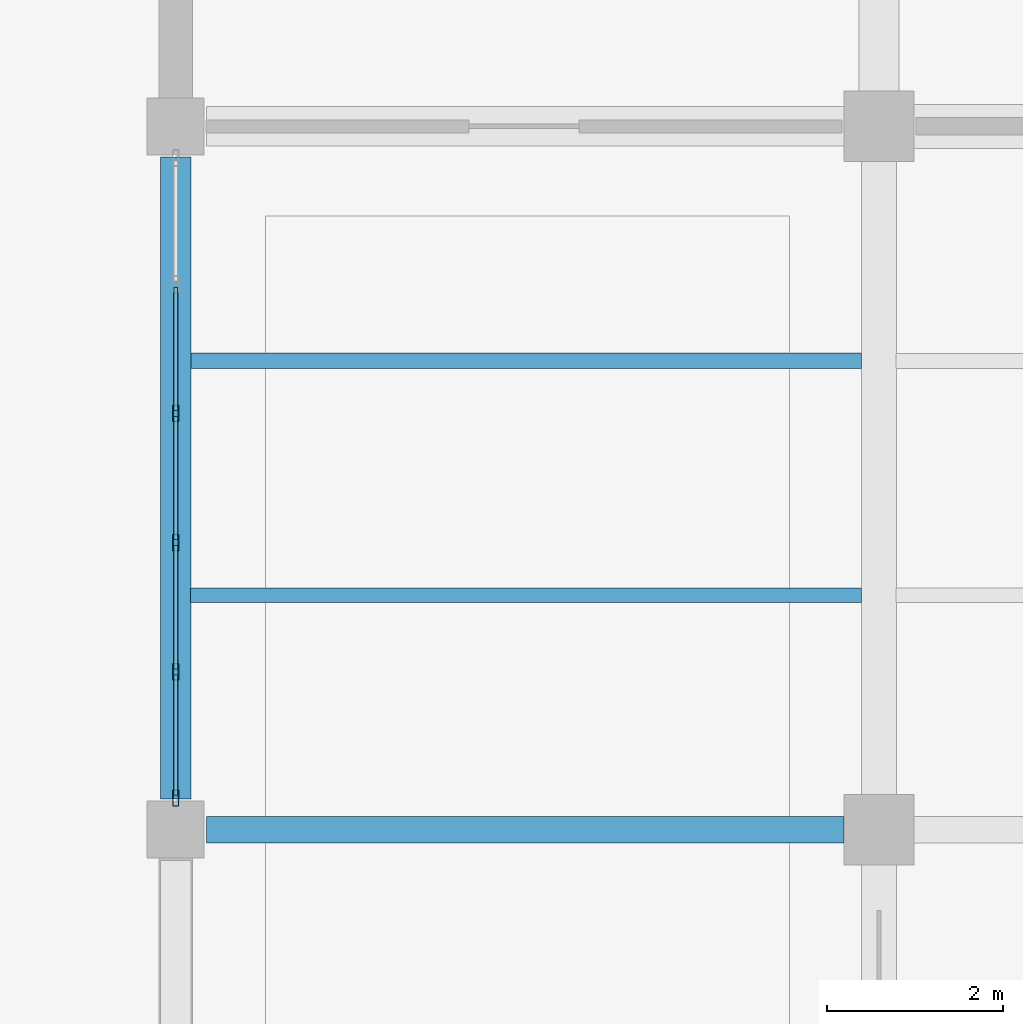
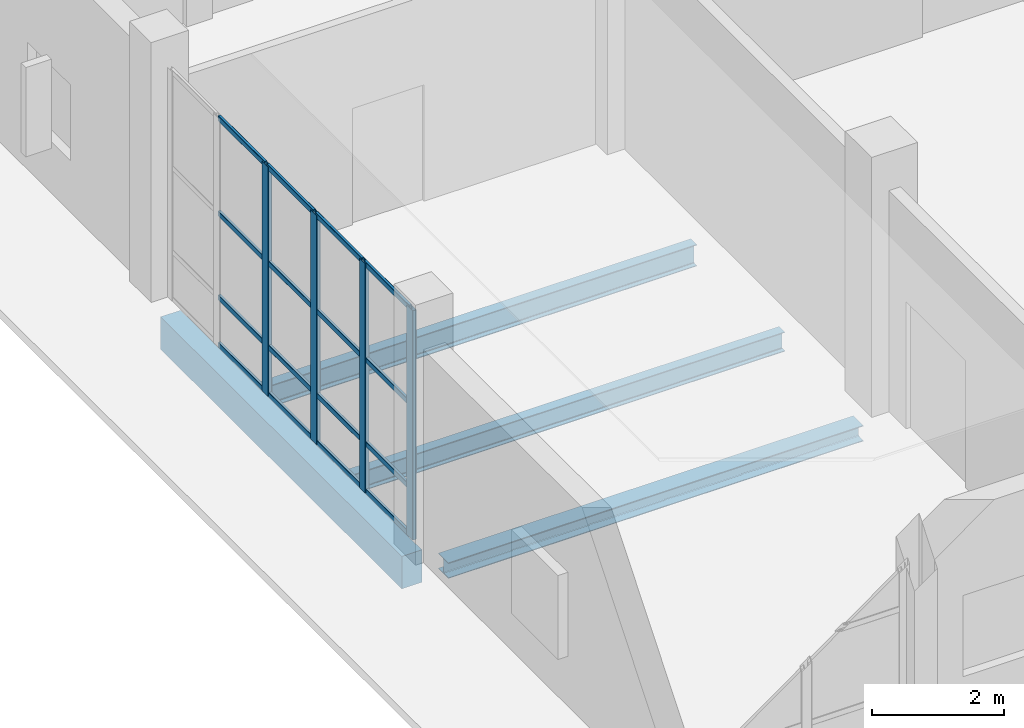
# One storey, part 82 of 156: 20 members, 4 beams, 1 element without a shape of its own.
"""IFC4 building model written with IfcOpenShell, lengths in metres."""

from ifc_helpers import new_model, si_unit, direction, frame, origin, origin_2d, place, context, subcontext, project, spatial, rectangle, hollow_rectangle, i_section, extrude, material, material_profile, profile_set, type_object, element, aggregate, save


model = new_model("IFC4")

# Units and contexts
model_context = context("Model", 3, precision=1e-05, world=origin(), true_north=direction((0.0, 1.0)))
body_context = subcontext(model_context, "Body", "Model", "MODEL_VIEW")
ifc_project = project(units=[si_unit("LENGTHUNIT", "METRE"), si_unit("AREAUNIT", "SQUARE_METRE"), si_unit("VOLUMEUNIT", "CUBIC_METRE"), si_unit("PLANEANGLEUNIT", "RADIAN"), si_unit("MASSUNIT", "GRAM", prefix="KILO")], contexts=[model_context])

# Site, building, storey
site_placement = place(None, origin())
site = spatial("IfcSite", under=ifc_project, at=site_placement, CompositionType="ELEMENT")
building_placement = place(site_placement, origin())
building = spatial("IfcBuilding", under=site, at=building_placement, Name="Luwemba Playhouse", CompositionType="ELEMENT")
storey_placement = place(building_placement, origin())
storey = spatial("IfcBuildingStorey", under=building, at=storey_placement, Name="L00", CompositionType="ELEMENT", Elevation=0.0)

# Beams
ifc_material_1 = material(Name="Steel S355", Category="steel")
ifc_material_profile_1 = material_profile(ifc_material_1, i_section(OverallWidth=0.300048828125, OverallDepth=0.2900390625, WebThickness=0.008544921875, FlangeThickness=0.013916015625, FilletRadius=0.027099609375, at=origin_2d()))
ifc_profile_set_1 = profile_set([ifc_material_profile_1], Name="Steel S355")
beam_type_1 = type_object("IfcBeamType", Name="BM-SB03", PredefinedType="BEAM", material=ifc_profile_set_1)
beam_1_placement = place(storey_placement, frame((132.35009765625, 76.0, -0.445068359375), z_axis=(1.0, 0.0, 0.0), x_axis=(0.0, 1.0, 0.0)))
element("IfcBeam", 1, at=beam_1_placement, inside=storey, type_object=beam_type_1, Name="L00 grid girder 0117", PredefinedType="BEAM", context=body_context, shape_type="SweptSolid", body=[
    extrude(i_section(OverallWidth=0.300048828125, OverallDepth=0.2900390625, WebThickness=0.008544921875, FlangeThickness=0.013916015625, FilletRadius=0.027099609375, at=origin_2d()), origin(), (0.0, 0.0, 1.0), 7.25),
])
ifc_material_profile_2 = material_profile(ifc_material_1, i_section(OverallWidth=0.169921875, OverallDepth=0.360107421875, WebThickness=0.008056640625, FlangeThickness=0.0126953125, FilletRadius=0.01806640625, at=origin_2d()))
ifc_profile_set_2 = profile_set([ifc_material_profile_2], Name="Steel S355")
beam_type_2 = type_object("IfcBeamType", Name="BM-SJ07", PredefinedType="JOIST", material=ifc_profile_set_2)
beam_2_placement = place(storey_placement, frame((132.1708984375, 78.666748046875, -0.47998046875), z_axis=(1.0, 0.0, 0.0), x_axis=(0.0, 1.0, 0.0)))
element("IfcBeam", 2, at=beam_2_placement, inside=storey, type_object=beam_type_2, Name="L00 composite floor joist 0099", PredefinedType="JOIST", context=body_context, shape_type="SweptSolid", body=[
    extrude(i_section(OverallWidth=0.169921875, OverallDepth=0.360107421875, WebThickness=0.008056640625, FlangeThickness=0.0126953125, FilletRadius=0.01806640625, at=origin_2d()), origin(), (0.0, 0.0, 1.0), 7.633056640625),
])
ifc_material_profile_3 = material_profile(ifc_material_1, i_section(OverallWidth=0.179931640625, OverallDepth=0.39990234375, WebThickness=0.008544921875, FlangeThickness=0.013427734375, FilletRadius=0.02099609375, at=origin_2d()))
ifc_profile_set_3 = profile_set([ifc_material_profile_3], Name="Steel S355")
beam_type_3 = type_object("IfcBeamType", Name="BM-SJ08", PredefinedType="JOIST", material=ifc_profile_set_3)
beam_3_placement = place(storey_placement, frame((132.1708984375, 81.333251953125, -0.5), z_axis=(1.0, 0.0, 0.0), x_axis=(0.0, 1.0, 0.0)))
element("IfcBeam", 3, at=beam_3_placement, inside=storey, type_object=beam_type_3, Name="L00 composite floor joist 0100", PredefinedType="JOIST", context=body_context, shape_type="SweptSolid", body=[
    extrude(i_section(OverallWidth=0.179931640625, OverallDepth=0.39990234375, WebThickness=0.008544921875, FlangeThickness=0.013427734375, FilletRadius=0.02099609375, at=origin_2d()), origin(), (0.0, 0.0, 1.0), 7.633056640625),
])
ifc_material_2 = material(Name="Concrete C40/50", Category="concrete")
ifc_material_profile_4 = material_profile(ifc_material_2, rectangle(XDim=0.35009765625, YDim=0.60009765625, at=origin_2d()))
ifc_profile_set_4 = profile_set([ifc_material_profile_4], Name="Concrete C40/50")
beam_type_4 = type_object("IfcBeamType", Name="BM-SP3", PredefinedType="SPANDREL", material=ifc_profile_set_4)
beam_4_placement = place(storey_placement, frame((132.0, 76.35009765625, -0.60009765625), z_axis=(0.0, 1.0, 0.0), x_axis=(-1.0, 0.0, 0.0)))
element("IfcBeam", 4, at=beam_4_placement, inside=storey, type_object=beam_type_4, Name="L00 transverse girder 0133", PredefinedType="SPANDREL", context=body_context, shape_type="SweptSolid", body=[
    extrude(rectangle(XDim=0.35009765625, YDim=0.60009765625, at=origin_2d()), origin(), (0.0, 0.0, 1.0), 7.2998046875),
])

# Curtain wall, members
ifc_material_3 = material(Name="Solar-control double glazing", Category="glass")
curtain_wall_type = type_object("IfcCurtainWallType", Name="CW-CW18", PredefinedType="USERDEFINED", material=ifc_material_3)
curtain_wall_placement = place(storey_placement, origin())
curtain_wall = element("IfcCurtainWall", 5, at=curtain_wall_placement, inside=storey, type_object=curtain_wall_type, Name="L00 V4 unitised curtain wall 018", ObjectType="UNITISED GLAZING", PredefinedType="USERDEFINED")
ifc_material_4 = material(Name="Aluminium 6063-T6", Category="aluminium")
ifc_material_profile_5 = material_profile(ifc_material_4, hollow_rectangle(XDim=0.070068359375, YDim=0.18994140625, WallThickness=0.0048828125, InnerFilletRadius=0.007568359375, OuterFilletRadius=0.012451171875, at=origin_2d()))
ifc_profile_set_5 = profile_set([ifc_material_profile_5], Name="Aluminium 6063-T6")
member_type_1 = type_object("IfcMemberType", Name="CWM-M4", PredefinedType="MULLION", material=ifc_profile_set_5)
member_1_placement = place(storey_placement, frame((132.0, 76.360107421875, 0.0), z_axis=(0.0, 0.0, 1.0), x_axis=(-1.0, 0.0, 0.0)))
member_1 = element("IfcMember", 6, at=member_1_placement, type_object=member_type_1, Name="CW18 mullion 1", PredefinedType="MULLION", context=body_context, shape_type="SweptSolid", body=[
    extrude(hollow_rectangle(XDim=0.070068359375, YDim=0.18994140625, WallThickness=0.0048828125, InnerFilletRadius=0.007568359375, OuterFilletRadius=0.012451171875, at=origin_2d()), origin(), (0.0, 0.0, 1.0), 4.235107421875),
])
member_2_placement = place(storey_placement, frame((132.0, 77.794921875, 0.0), z_axis=(0.0, 0.0, 1.0), x_axis=(-1.0, 0.0, 0.0)))
member_2 = element("IfcMember", 7, at=member_2_placement, type_object=member_type_1, Name="CW18 mullion 2", PredefinedType="MULLION", context=body_context, shape_type="SweptSolid", body=[
    extrude(hollow_rectangle(XDim=0.070068359375, YDim=0.18994140625, WallThickness=0.0048828125, InnerFilletRadius=0.007568359375, OuterFilletRadius=0.012451171875, at=origin_2d()), origin(), (0.0, 0.0, 1.0), 4.235107421875),
])
member_3_placement = place(storey_placement, frame((132.0, 79.264892578125, 0.0), z_axis=(0.0, 0.0, 1.0), x_axis=(-1.0, 0.0, 0.0)))
member_3 = element("IfcMember", 8, at=member_3_placement, type_object=member_type_1, Name="CW18 mullion 3", PredefinedType="MULLION", context=body_context, shape_type="SweptSolid", body=[
    extrude(hollow_rectangle(XDim=0.070068359375, YDim=0.18994140625, WallThickness=0.0048828125, InnerFilletRadius=0.007568359375, OuterFilletRadius=0.012451171875, at=origin_2d()), origin(), (0.0, 0.0, 1.0), 4.235107421875),
])
member_4_placement = place(storey_placement, frame((132.0, 80.735107421875, 0.0), z_axis=(0.0, 0.0, 1.0), x_axis=(-1.0, 0.0, 0.0)))
member_4 = element("IfcMember", 9, at=member_4_placement, type_object=member_type_1, Name="CW18 mullion 4", PredefinedType="MULLION", context=body_context, shape_type="SweptSolid", body=[
    extrude(hollow_rectangle(XDim=0.070068359375, YDim=0.18994140625, WallThickness=0.0048828125, InnerFilletRadius=0.007568359375, OuterFilletRadius=0.012451171875, at=origin_2d()), origin(), (0.0, 0.0, 1.0), 4.235107421875),
])
ifc_material_profile_6 = material_profile(ifc_material_4, hollow_rectangle(XDim=0.050048828125, YDim=0.10009765625, WallThickness=0.00341796875, InnerFilletRadius=0.00537109375, OuterFilletRadius=0.0087890625, at=origin_2d()))
ifc_profile_set_6 = profile_set([ifc_material_profile_6], Name="Aluminium 6063-T6")
member_type_2 = type_object("IfcMemberType", Name="CWT-T4", PredefinedType="USERDEFINED", material=ifc_profile_set_6)
member_5_placement = place(storey_placement, frame((132.0, 76.39501953125, 0.02490234375), z_axis=(0.0, 1.0, 0.0), x_axis=(-1.0, 0.0, 0.0)))
member_5 = element("IfcMember", 10, at=member_5_placement, type_object=member_type_2, Name="CW18 transom 1.1", ObjectType="TRANSOM", PredefinedType="USERDEFINED", context=body_context, shape_type="SweptSolid", body=[
    extrude(hollow_rectangle(XDim=0.050048828125, YDim=0.10009765625, WallThickness=0.00341796875, InnerFilletRadius=0.00537109375, OuterFilletRadius=0.0087890625, at=origin_2d()), origin(), (0.0, 0.0, 1.0), 1.364990234375),
])
member_6_placement = place(storey_placement, frame((132.0, 76.39501953125, 0.89990234375), z_axis=(0.0, 1.0, 0.0), x_axis=(-1.0, 0.0, 0.0)))
member_6 = element("IfcMember", 11, at=member_6_placement, type_object=member_type_2, Name="CW18 transom 1.2", ObjectType="TRANSOM", PredefinedType="USERDEFINED", context=body_context, shape_type="SweptSolid", body=[
    extrude(hollow_rectangle(XDim=0.050048828125, YDim=0.10009765625, WallThickness=0.00341796875, InnerFilletRadius=0.00537109375, OuterFilletRadius=0.0087890625, at=origin_2d()), origin(), (0.0, 0.0, 1.0), 1.364990234375),
])
member_7_placement = place(storey_placement, frame((132.0, 76.39501953125, 2.449951171875), z_axis=(0.0, 1.0, 0.0), x_axis=(-1.0, 0.0, 0.0)))
member_7 = element("IfcMember", 12, at=member_7_placement, type_object=member_type_2, Name="CW18 transom 1.3", ObjectType="TRANSOM", PredefinedType="USERDEFINED", context=body_context, shape_type="SweptSolid", body=[
    extrude(hollow_rectangle(XDim=0.050048828125, YDim=0.10009765625, WallThickness=0.00341796875, InnerFilletRadius=0.00537109375, OuterFilletRadius=0.0087890625, at=origin_2d()), origin(), (0.0, 0.0, 1.0), 1.364990234375),
])
member_8_placement = place(storey_placement, frame((132.0, 76.39501953125, 4.2099609375), z_axis=(0.0, 1.0, 0.0), x_axis=(-1.0, 0.0, 0.0)))
member_8 = element("IfcMember", 13, at=member_8_placement, type_object=member_type_2, Name="CW18 transom 1.4", ObjectType="TRANSOM", PredefinedType="USERDEFINED", context=body_context, shape_type="SweptSolid", body=[
    extrude(hollow_rectangle(XDim=0.050048828125, YDim=0.10009765625, WallThickness=0.00341796875, InnerFilletRadius=0.00537109375, OuterFilletRadius=0.0087890625, at=origin_2d()), origin(), (0.0, 0.0, 1.0), 1.364990234375),
])
member_9_placement = place(storey_placement, frame((132.0, 77.830078125, 0.02490234375), z_axis=(0.0, 1.0, 0.0), x_axis=(-1.0, 0.0, 0.0)))
member_9 = element("IfcMember", 14, at=member_9_placement, type_object=member_type_2, Name="CW18 transom 2.1", ObjectType="TRANSOM", PredefinedType="USERDEFINED", context=body_context, shape_type="SweptSolid", body=[
    extrude(hollow_rectangle(XDim=0.050048828125, YDim=0.10009765625, WallThickness=0.00341796875, InnerFilletRadius=0.00537109375, OuterFilletRadius=0.0087890625, at=origin_2d()), origin(), (0.0, 0.0, 1.0), 1.39990234375),
])
member_10_placement = place(storey_placement, frame((132.0, 77.830078125, 0.89990234375), z_axis=(0.0, 1.0, 0.0), x_axis=(-1.0, 0.0, 0.0)))
member_10 = element("IfcMember", 15, at=member_10_placement, type_object=member_type_2, Name="CW18 transom 2.2", ObjectType="TRANSOM", PredefinedType="USERDEFINED", context=body_context, shape_type="SweptSolid", body=[
    extrude(hollow_rectangle(XDim=0.050048828125, YDim=0.10009765625, WallThickness=0.00341796875, InnerFilletRadius=0.00537109375, OuterFilletRadius=0.0087890625, at=origin_2d()), origin(), (0.0, 0.0, 1.0), 1.39990234375),
])
member_11_placement = place(storey_placement, frame((132.0, 77.830078125, 2.449951171875), z_axis=(0.0, 1.0, 0.0), x_axis=(-1.0, 0.0, 0.0)))
member_11 = element("IfcMember", 16, at=member_11_placement, type_object=member_type_2, Name="CW18 transom 2.3", ObjectType="TRANSOM", PredefinedType="USERDEFINED", context=body_context, shape_type="SweptSolid", body=[
    extrude(hollow_rectangle(XDim=0.050048828125, YDim=0.10009765625, WallThickness=0.00341796875, InnerFilletRadius=0.00537109375, OuterFilletRadius=0.0087890625, at=origin_2d()), origin(), (0.0, 0.0, 1.0), 1.39990234375),
])
member_12_placement = place(storey_placement, frame((132.0, 77.830078125, 4.2099609375), z_axis=(0.0, 1.0, 0.0), x_axis=(-1.0, 0.0, 0.0)))
member_12 = element("IfcMember", 17, at=member_12_placement, type_object=member_type_2, Name="CW18 transom 2.4", ObjectType="TRANSOM", PredefinedType="USERDEFINED", context=body_context, shape_type="SweptSolid", body=[
    extrude(hollow_rectangle(XDim=0.050048828125, YDim=0.10009765625, WallThickness=0.00341796875, InnerFilletRadius=0.00537109375, OuterFilletRadius=0.0087890625, at=origin_2d()), origin(), (0.0, 0.0, 1.0), 1.39990234375),
])
member_13_placement = place(storey_placement, frame((132.0, 79.300048828125, 0.02490234375), z_axis=(0.0, 1.0, 0.0), x_axis=(-1.0, 0.0, 0.0)))
member_13 = element("IfcMember", 18, at=member_13_placement, type_object=member_type_2, Name="CW18 transom 3.1", ObjectType="TRANSOM", PredefinedType="USERDEFINED", context=body_context, shape_type="SweptSolid", body=[
    extrude(hollow_rectangle(XDim=0.050048828125, YDim=0.10009765625, WallThickness=0.00341796875, InnerFilletRadius=0.00537109375, OuterFilletRadius=0.0087890625, at=origin_2d()), origin(), (0.0, 0.0, 1.0), 1.39990234375),
])
member_14_placement = place(storey_placement, frame((132.0, 79.300048828125, 0.89990234375), z_axis=(0.0, 1.0, 0.0), x_axis=(-1.0, 0.0, 0.0)))
member_14 = element("IfcMember", 19, at=member_14_placement, type_object=member_type_2, Name="CW18 transom 3.2", ObjectType="TRANSOM", PredefinedType="USERDEFINED", context=body_context, shape_type="SweptSolid", body=[
    extrude(hollow_rectangle(XDim=0.050048828125, YDim=0.10009765625, WallThickness=0.00341796875, InnerFilletRadius=0.00537109375, OuterFilletRadius=0.0087890625, at=origin_2d()), origin(), (0.0, 0.0, 1.0), 1.39990234375),
])
member_15_placement = place(storey_placement, frame((132.0, 79.300048828125, 2.449951171875), z_axis=(0.0, 1.0, 0.0), x_axis=(-1.0, 0.0, 0.0)))
member_15 = element("IfcMember", 20, at=member_15_placement, type_object=member_type_2, Name="CW18 transom 3.3", ObjectType="TRANSOM", PredefinedType="USERDEFINED", context=body_context, shape_type="SweptSolid", body=[
    extrude(hollow_rectangle(XDim=0.050048828125, YDim=0.10009765625, WallThickness=0.00341796875, InnerFilletRadius=0.00537109375, OuterFilletRadius=0.0087890625, at=origin_2d()), origin(), (0.0, 0.0, 1.0), 1.39990234375),
])
member_16_placement = place(storey_placement, frame((132.0, 79.300048828125, 4.2099609375), z_axis=(0.0, 1.0, 0.0), x_axis=(-1.0, 0.0, 0.0)))
member_16 = element("IfcMember", 21, at=member_16_placement, type_object=member_type_2, Name="CW18 transom 3.4", ObjectType="TRANSOM", PredefinedType="USERDEFINED", context=body_context, shape_type="SweptSolid", body=[
    extrude(hollow_rectangle(XDim=0.050048828125, YDim=0.10009765625, WallThickness=0.00341796875, InnerFilletRadius=0.00537109375, OuterFilletRadius=0.0087890625, at=origin_2d()), origin(), (0.0, 0.0, 1.0), 1.39990234375),
])
member_17_placement = place(storey_placement, frame((132.0, 80.77001953125, 0.02490234375), z_axis=(0.0, 1.0, 0.0), x_axis=(-1.0, 0.0, 0.0)))
member_17 = element("IfcMember", 22, at=member_17_placement, type_object=member_type_2, Name="CW18 transom 4.1", ObjectType="TRANSOM", PredefinedType="USERDEFINED", context=body_context, shape_type="SweptSolid", body=[
    extrude(hollow_rectangle(XDim=0.050048828125, YDim=0.10009765625, WallThickness=0.00341796875, InnerFilletRadius=0.00537109375, OuterFilletRadius=0.0087890625, at=origin_2d()), origin(), (0.0, 0.0, 1.0), 1.39990234375),
])
member_18_placement = place(storey_placement, frame((132.0, 80.77001953125, 0.89990234375), z_axis=(0.0, 1.0, 0.0), x_axis=(-1.0, 0.0, 0.0)))
member_18 = element("IfcMember", 23, at=member_18_placement, type_object=member_type_2, Name="CW18 transom 4.2", ObjectType="TRANSOM", PredefinedType="USERDEFINED", context=body_context, shape_type="SweptSolid", body=[
    extrude(hollow_rectangle(XDim=0.050048828125, YDim=0.10009765625, WallThickness=0.00341796875, InnerFilletRadius=0.00537109375, OuterFilletRadius=0.0087890625, at=origin_2d()), origin(), (0.0, 0.0, 1.0), 1.39990234375),
])
member_19_placement = place(storey_placement, frame((132.0, 80.77001953125, 2.449951171875), z_axis=(0.0, 1.0, 0.0), x_axis=(-1.0, 0.0, 0.0)))
member_19 = element("IfcMember", 24, at=member_19_placement, type_object=member_type_2, Name="CW18 transom 4.3", ObjectType="TRANSOM", PredefinedType="USERDEFINED", context=body_context, shape_type="SweptSolid", body=[
    extrude(hollow_rectangle(XDim=0.050048828125, YDim=0.10009765625, WallThickness=0.00341796875, InnerFilletRadius=0.00537109375, OuterFilletRadius=0.0087890625, at=origin_2d()), origin(), (0.0, 0.0, 1.0), 1.39990234375),
])
member_20_placement = place(storey_placement, frame((132.0, 80.77001953125, 4.2099609375), z_axis=(0.0, 1.0, 0.0), x_axis=(-1.0, 0.0, 0.0)))
member_20 = element("IfcMember", 25, at=member_20_placement, type_object=member_type_2, Name="CW18 transom 4.4", ObjectType="TRANSOM", PredefinedType="USERDEFINED", context=body_context, shape_type="SweptSolid", body=[
    extrude(hollow_rectangle(XDim=0.050048828125, YDim=0.10009765625, WallThickness=0.00341796875, InnerFilletRadius=0.00537109375, OuterFilletRadius=0.0087890625, at=origin_2d()), origin(), (0.0, 0.0, 1.0), 1.39990234375),
])
aggregate(curtain_wall, [member_1, member_2, member_3, member_4, member_5, member_6, member_7, member_8, member_9, member_10, member_11, member_12, member_13, member_14, member_15, member_16, member_17, member_18, member_19, member_20])

save(model, "model.ifc")
